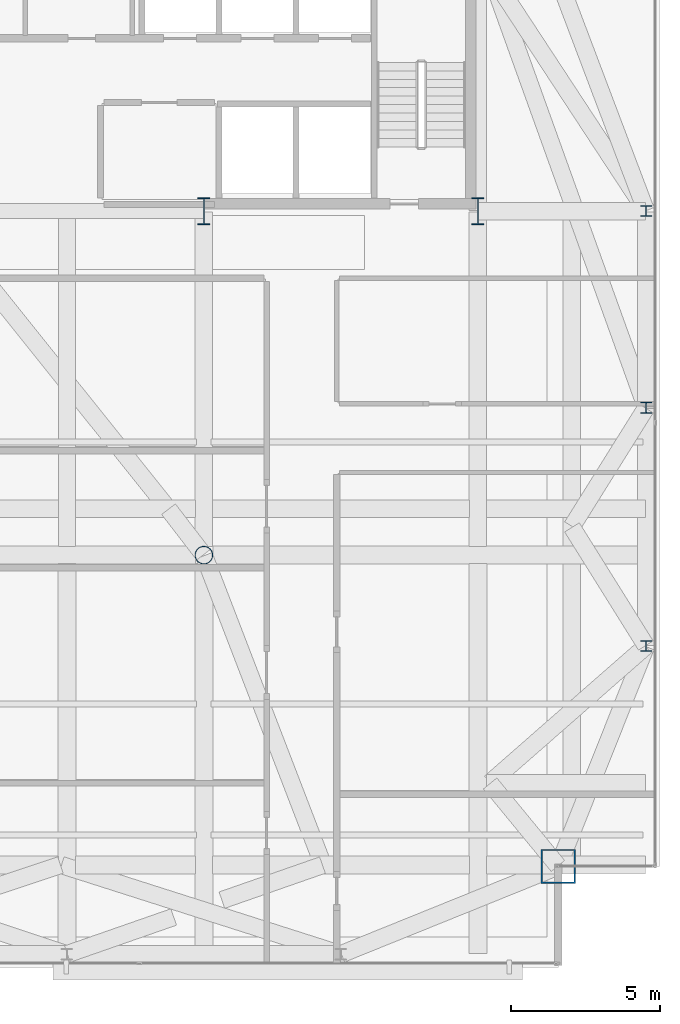
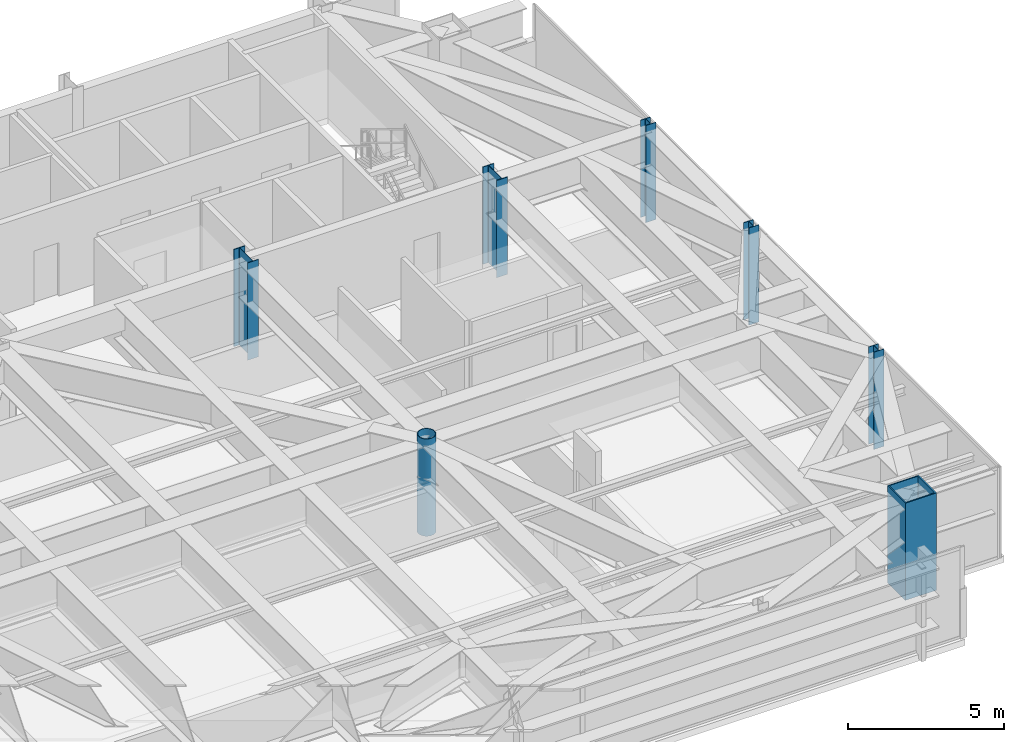
# One storey, part 2 of 23: 7 columns.
"""IFC4 building model written with IfcOpenShell, lengths in metres."""

from ifc_helpers import new_model, si_unit, direction, frame, origin, origin_2d, place, context, subcontext, project, spatial, hollow_rectangle, hollow_circle, i_section, extrude, source, transform, mapped, material, material_profile, profile_set, type_object, type_shapes, element, save


model = new_model("IFC4")

# Units and contexts
model_context = context("Model", 3, precision=1e-05, world=origin(), true_north=direction((0.0, 1.0)))
body_context = subcontext(model_context, "Body", "Model", "MODEL_VIEW")
ifc_project = project(units=[si_unit("LENGTHUNIT", "METRE"), si_unit("AREAUNIT", "SQUARE_METRE"), si_unit("VOLUMEUNIT", "CUBIC_METRE"), si_unit("PLANEANGLEUNIT", "RADIAN"), si_unit("MASSUNIT", "GRAM", prefix="KILO")], contexts=[model_context])

# Site, building, storey
site_placement = place(None, origin())
site = spatial("IfcSite", under=ifc_project, at=site_placement, CompositionType="ELEMENT")
building_placement = place(site_placement, origin())
building = spatial("IfcBuilding", under=site, at=building_placement, Name="Varnel Quay Broadcast Tower", CompositionType="ELEMENT")
storey_placement = place(building_placement, frame((0.0, 0.0, 254.60009765625)))
storey = spatial("IfcBuildingStorey", under=building, at=storey_placement, Name="L63", CompositionType="ELEMENT", Elevation=254.60009765625)

# Columns
ifc_material_1 = material(Name="Structural Steel CSA G40.21 350WT", Category="steel")
ifc_material_profile_1 = material_profile(ifc_material_1, i_section(OverallWidth=0.39990234375, OverallDepth=0.89990234375, WebThickness=0.01611328125, FlangeThickness=0.028076171875, FilletRadius=0.01611328125, at=origin_2d()), Name="WWF900X309")
ifc_profile_set_1 = profile_set([ifc_material_profile_1], Name="Structural Steel CSA G40.21 350WT")
column_type_1 = type_object("IfcColumnType", Name="Col_WWF900X309", PredefinedType="COLUMN", material=ifc_profile_set_1)
shared_shape_1 = source(origin(), body_context, "Body", "SweptSolid", [
    extrude(i_section(OverallWidth=0.39990234375, OverallDepth=0.89990234375, WebThickness=0.01611328125, FlangeThickness=0.028076171875, FilletRadius=0.01611328125, at=origin_2d()), origin(), (0.0, 0.0, 1.0), 3.7998046875),
])
type_shapes(column_type_1, [shared_shape_1])
for number, where, z_axis, x_axis, name in (
    (1, (43.199951171875, 35.60009765625, 0.0), (0.0, 0.0, 1.0), (1.0, 0.0, 0.0), "L63 Column CC-S4"),
    (2, (52.39990234375, 35.60009765625, 0.0), (0.0, 0.0, 1.0), (1.0, 0.0, 0.0), "L63 Column CC-S5"),
):
    element("IfcColumn", number, at=place(storey_placement, frame(where, z_axis=z_axis, x_axis=x_axis)), inside=storey, type_object=column_type_1, Name=name, PredefinedType="COLUMN", context=body_context, shape_type="MappedRepresentation", body=[
        mapped(shared_shape_1, transform((0.0, 0.0, 0.0), x_axis=(1.0, 0.0, 0.0), y_axis=(0.0, 1.0, 0.0), z_axis=(0.0, 0.0, 1.0), scale=1.0)),
    ])
ifc_material_profile_2 = material_profile(ifc_material_1, hollow_rectangle(XDim=1.14990234375, YDim=1.14990234375, WallThickness=0.044921875, at=origin_2d()), Name="BOX1150X1150X45")
ifc_profile_set_2 = profile_set([ifc_material_profile_2], Name="Structural Steel CSA G40.21 350WT")
column_type_2 = type_object("IfcColumnType", Name="Col_BOX1150X1150X45", PredefinedType="COLUMN", material=ifc_profile_set_2)
shared_shape_2 = source(origin(), body_context, "Body", "SweptSolid", [
    extrude(hollow_rectangle(XDim=1.14990234375, YDim=1.14990234375, WallThickness=0.044921875, at=origin_2d()), origin(), (0.0, 0.0, 1.0), 3.7998046875),
])
type_shapes(column_type_2, [shared_shape_2])
column_1_placement = place(storey_placement, frame((55.10009765625, 13.60009765625, 0.0), z_axis=(0.0, 0.0, 1.0), x_axis=(1.0, 0.0, 0.0)))
element("IfcColumn", 3, at=column_1_placement, inside=storey, type_object=column_type_2, Name="L63 Column MC-SE", PredefinedType="COLUMN", context=body_context, shape_type="MappedRepresentation", body=[
    mapped(shared_shape_2, transform((0.0, 0.0, 0.0), x_axis=(1.0, 0.0, 0.0), y_axis=(0.0, 1.0, 0.0), z_axis=(0.0, 0.0, 1.0), scale=1.0)),
])
ifc_material_2 = material(Name="Structural Steel CSA G40.21 350W", Category="steel")
ifc_material_profile_3 = material_profile(ifc_material_2, i_section(OverallWidth=0.368896484375, OverallDepth=0.35595703125, WebThickness=0.01123046875, FlangeThickness=0.01806640625, FilletRadius=0.01611328125, at=origin_2d()), Name="W360X134")
ifc_profile_set_3 = profile_set([ifc_material_profile_3], Name="Structural Steel CSA G40.21 350W")
column_type_3 = type_object("IfcColumnType", Name="Col_W360X134", PredefinedType="COLUMN", material=ifc_profile_set_3)
shared_shape_3 = source(origin(), body_context, "Body", "SweptSolid", [
    extrude(i_section(OverallWidth=0.368896484375, OverallDepth=0.35595703125, WebThickness=0.01123046875, FlangeThickness=0.01806640625, FilletRadius=0.01611328125, at=origin_2d()), origin(), (0.0, 0.0, 1.0), 3.7998046875),
])
type_shapes(column_type_3, [shared_shape_3])
for number, where, z_axis, x_axis, name in (
    (4, (58.050048828125, 21.0, 0.0), (0.0, 0.0, 1.0), (1.0, 0.0, 0.0), "L63 Column TC-E1"),
    (5, (58.050048828125, 29.0, 0.0), (0.0, 0.0, 1.0), (1.0, 0.0, 0.0), "L63 Column TC-E2"),
    (6, (58.050048828125, 35.60009765625, 0.0), (0.0, 0.0, 1.0), (1.0, 0.0, 0.0), "L63 Column TC-E3"),
):
    element("IfcColumn", number, at=place(storey_placement, frame(where, z_axis=z_axis, x_axis=x_axis)), inside=storey, type_object=column_type_3, Name=name, PredefinedType="COLUMN", context=body_context, shape_type="MappedRepresentation", body=[
        mapped(shared_shape_3, transform((0.0, 0.0, 0.0), x_axis=(1.0, 0.0, 0.0), y_axis=(0.0, 1.0, 0.0), z_axis=(0.0, 0.0, 1.0), scale=1.0)),
    ])
ifc_material_profile_4 = material_profile(ifc_material_2, hollow_circle(Radius=0.304931640625, WallThickness=0.02490234375, at=origin_2d()), Name="CHS610X25")
ifc_profile_set_4 = profile_set([ifc_material_profile_4], Name="Structural Steel CSA G40.21 350W")
column_type_4 = type_object("IfcColumnType", Name="Col_CHS610X25", PredefinedType="COLUMN", material=ifc_profile_set_4)
shared_shape_4 = source(origin(), body_context, "Body", "SweptSolid", [
    extrude(hollow_circle(Radius=0.304931640625, WallThickness=0.02490234375, at=origin_2d()), origin(), (0.0, 0.0, 1.0), 3.7998046875),
])
type_shapes(column_type_4, [shared_shape_4])
column_2_placement = place(storey_placement, frame((43.199951171875, 24.050048828125, 0.0), z_axis=(0.0, 0.0, 1.0), x_axis=(1.0, 0.0, 0.0)))
element("IfcColumn", 7, at=column_2_placement, inside=storey, type_object=column_type_4, Name="L63 Column IC-02", PredefinedType="COLUMN", context=body_context, shape_type="MappedRepresentation", body=[
    mapped(shared_shape_4, transform((0.0, 0.0, 0.0), x_axis=(1.0, 0.0, 0.0), y_axis=(0.0, 1.0, 0.0), z_axis=(0.0, 0.0, 1.0), scale=1.0)),
])

save(model, "model.ifc")
